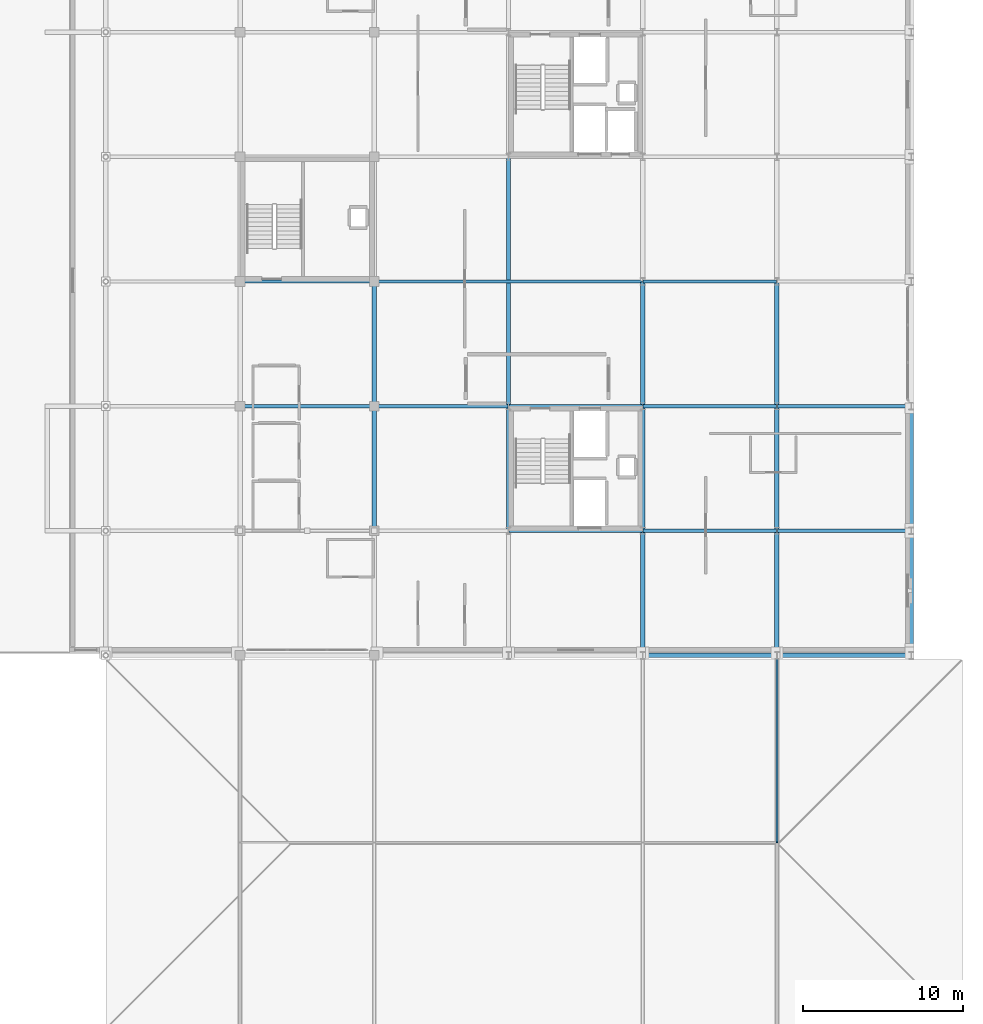
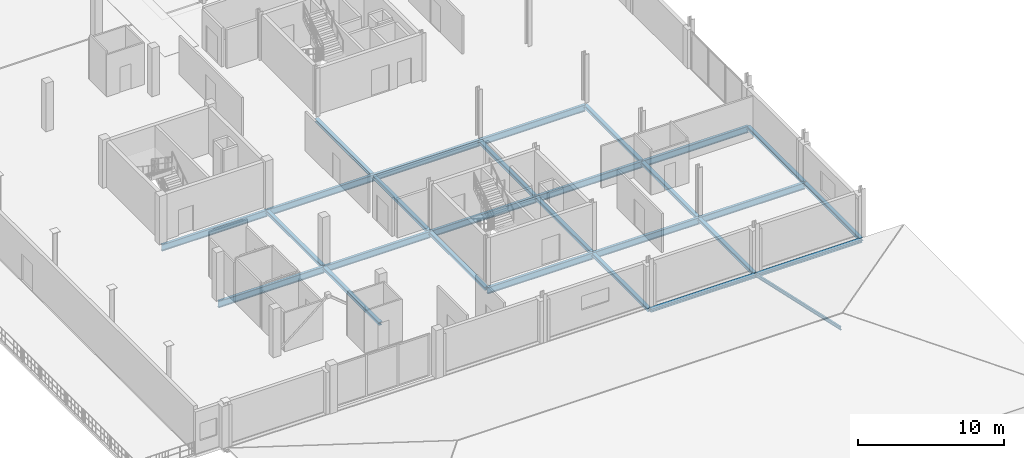
# One storey, part 10 of 25: 25 beams, 1 member.
"""IFC4 building model written with IfcOpenShell, lengths in metres."""

import ifcopenshell
import ifcopenshell.guid

model = None  # the IFC model being written
_history = None  # IfcOwnerHistory: only IFC2X3 demands one
_inside = {}  # id of a spatial element -> (the spatial element, [elements in it])
_under = {}  # id of a project, library or spatial element -> (it, [spatial elements below it])
_declared = {}  # id of a project -> (the project, [libraries it declares])
_typed = {}  # id of a type object -> (the type object, [elements of that type])
_made_of = {}  # id of a material, layer set ... -> (it, [elements and type objects made of it])


def new_model(schema):
    """Start an empty IFC model of exactly this schema.

    Asked for "IFC4X3", IfcOpenShell would pick the latest addendum, in which some entities
    have other attributes; the version numbers below select the first issue.
    IFC2X3 requires an IfcOwnerHistory on every rooted entity: one is made here for all.
    """
    global model, _history
    if schema == "IFC4X3":
        model = ifcopenshell.file(schema_version=(4, 3, 0, 0))
    else:
        model = ifcopenshell.file(schema=schema)
    _inside.clear()
    _under.clear()
    _declared.clear()
    _typed.clear()
    _made_of.clear()
    _history = None
    if model.schema == "IFC2X3":
        org = make("IfcOrganization", Name="unknown")
        user = make(
            "IfcPersonAndOrganization",
            ThePerson=make("IfcPerson", FamilyName="unknown"),
            TheOrganization=org,
        )
        app = make(
            "IfcApplication",
            ApplicationDeveloper=org,
            Version="unknown",
            ApplicationFullName="unknown",
            ApplicationIdentifier="unknown",
        )
        _history = make(
            "IfcOwnerHistory",
            OwningUser=user,
            OwningApplication=app,
            ChangeAction="ADDED",
            CreationDate=0,
        )
    return model


def make(cls, **values):
    """One entity of the class cls with the attributes given. An attribute that is None is left unset."""
    return model.create_entity(
        cls, **{name: value for name, value in values.items() if value is not None}
    )


def rooted(cls, **values):
    """An entity with a GlobalId (a new one), such as an element, a storey or a relation."""
    return make(cls, GlobalId=ifcopenshell.guid.new(), OwnerHistory=_history, **values)


def si_unit(unit_type, name, prefix=None):
    """IfcSIUnit, for example si_unit("LENGTHUNIT", "METRE", prefix="MILLI")."""
    return make("IfcSIUnit", UnitType=unit_type, Prefix=prefix, Name=name)


def assignment(units):
    """IfcUnitAssignment: the units of a project."""
    return None if units is None else make("IfcUnitAssignment", Units=units)


def point(xyz):
    """IfcCartesianPoint."""
    return None if xyz is None else make("IfcCartesianPoint", Coordinates=xyz)


def direction(xyz):
    """IfcDirection."""
    return None if xyz is None else make("IfcDirection", DirectionRatios=xyz)


def frame(location, z_axis=None, x_axis=None):
    """IfcAxis2Placement3D, a coordinate frame: its origin and axes. An axis left out is left unset."""
    return make(
        "IfcAxis2Placement3D",
        Location=point(location),
        Axis=direction(z_axis),
        RefDirection=direction(x_axis),
    )


def frame_2d(location, x_axis=None):
    """IfcAxis2Placement2D, a coordinate frame in the plane: its origin and x axis."""
    return make(
        "IfcAxis2Placement2D", Location=point(location), RefDirection=direction(x_axis)
    )


def origin():
    """The frame at (0, 0, 0) with its axes left unset."""
    return frame((0.0, 0.0, 0.0))


def origin_2d():
    """The frame at (0, 0) in the plane with its x axis left unset."""
    return frame_2d((0.0, 0.0))


def place(relative_to, where):
    """IfcLocalPlacement: puts the frame where relative to a parent placement (None: the world)."""
    return make(
        "IfcLocalPlacement", PlacementRelTo=relative_to, RelativePlacement=where
    )


def context(
    kind, dimensions, precision=None, world=None, true_north=None, identifier=None
):
    """IfcGeometricRepresentationContext, for example the 3D "Model" context."""
    return make(
        "IfcGeometricRepresentationContext",
        ContextIdentifier=identifier,
        ContextType=kind,
        CoordinateSpaceDimension=dimensions,
        Precision=precision,
        WorldCoordinateSystem=world,
        TrueNorth=true_north,
    )


def subcontext(parent, identifier, kind, view, scale=None):
    """IfcGeometricRepresentationSubContext, for example "Body" below "Model"."""
    return make(
        "IfcGeometricRepresentationSubContext",
        ContextIdentifier=identifier,
        ContextType=kind,
        ParentContext=parent,
        TargetScale=scale,
        TargetView=view,
    )


def project(units=None, contexts=None):
    """IfcProject with its units and contexts."""
    return rooted(
        "IfcProject",
        Name="project",
        RepresentationContexts=contexts,
        UnitsInContext=assignment(units),
    )


def spatial(cls, under=None, at=None, **own):
    """A site, building, storey or space (cls), placed at a placement, below another one or the project."""
    s = rooted(cls, ObjectPlacement=at, **own)
    if under is not None:
        _under.setdefault(under.id(), (under, []))[1].append(s)
    return s


def profile(cls, at=None, kind="AREA", **sizes):
    """A parametric profile (cls). Its sizes go by their IFC names, for example OverallWidth=200.0."""
    return make(cls, ProfileType=kind, Position=at, **sizes)


def i_section(**sizes):
    """IfcIShapeProfileDef."""
    return profile("IfcIShapeProfileDef", **sizes)


def extrude(swept, where, along, depth):
    """IfcExtrudedAreaSolid: the profile swept, set in the frame where, extruded along a direction by depth."""
    return make(
        "IfcExtrudedAreaSolid",
        SweptArea=swept,
        Position=where,
        ExtrudedDirection=direction(along),
        Depth=depth,
    )


def shape(context_of_items, identifier, shape_type, items):
    """IfcShapeRepresentation: the items that make up one representation, for example the "Body"."""
    return make(
        "IfcShapeRepresentation",
        ContextOfItems=context_of_items,
        RepresentationIdentifier=identifier,
        RepresentationType=shape_type,
        Items=items,
    )


def material(Name=None, Category=None):
    """IfcMaterial."""
    return make("IfcMaterial", Name=Name, Category=Category)


def material_profile(
    of_material, cross_section, Name=None, Category=None, Priority=None
):
    """IfcMaterialProfile: a cross section and its material."""
    return make(
        "IfcMaterialProfile",
        Name=Name,
        Material=of_material,
        Profile=cross_section,
        Priority=Priority,
        Category=Category,
    )


def profile_set(profiles, Name=None, composite=None):
    """IfcMaterialProfileSet."""
    return make(
        "IfcMaterialProfileSet",
        Name=Name,
        MaterialProfiles=profiles,
        CompositeProfile=composite,
    )


def made_of(thing, what):
    """Note that an element or type object is made of a material, layer set ...; save() writes the relation."""
    if what is not None:
        _made_of.setdefault(what.id(), (what, []))[1].append(thing)
    return thing


def type_object(cls, material=None, **own):
    """A type object (cls), such as IfcWallType, which elements share."""
    return made_of(rooted(cls, **own), material)


def element(
    cls,
    number,
    at=None,
    inside=None,
    cuts=None,
    type_object=None,
    material=None,
    context=None,
    identifier="Body",
    shape_type=None,
    held_by="IfcProductDefinitionShape",
    body=None,
    shapes=None,
    **own,
):
    """One element of the class cls, such as IfcWall. Its Tag is "e" and its number.

    at: its placement. inside: the storey or other place that contains it. cuts: it is an
    opening in that element (IfcRelVoidsElement). A single representation is given by context,
    identifier, shape_type and body (its items); several are given by shapes. held_by: the class
    of the entity that holds the representations. save() writes the other relations.
    """
    e = rooted(cls, Tag="e%d" % number, ObjectPlacement=at, **own)
    if body is not None:
        shapes = [shape(context, identifier, shape_type, body)]
    if shapes is not None:
        e.Representation = make(held_by, Representations=shapes)
    if inside is not None:
        _inside.setdefault(inside.id(), (inside, []))[1].append(e)
    if cuts is not None:
        rooted(
            "IfcRelVoidsElement", RelatingBuildingElement=cuts, RelatedOpeningElement=e
        )
    if type_object is not None:
        _typed.setdefault(type_object.id(), (type_object, []))[1].append(e)
    return made_of(e, material)


def aggregate(whole, parts):
    """IfcRelAggregates: a whole, such as a stair, and the parts it consists of."""
    return rooted("IfcRelAggregates", RelatingObject=whole, RelatedObjects=parts)


def save(model, path):
    """Write the relations noted so far, then the file.

    IfcRelAggregates (storeys below a building ...), IfcRelContainedInSpatialStructure (elements
    in a storey), IfcRelDefinesByType, IfcRelAssociatesMaterial and IfcRelDeclares: one each for
    every whole, place, type object, material and project.
    """
    for whole, parts in _under.values():
        aggregate(whole, parts)
    for where, things in _inside.values():
        rooted(
            "IfcRelContainedInSpatialStructure",
            RelatedElements=things,
            RelatingStructure=where,
        )
    for kind, things in _typed.values():
        rooted("IfcRelDefinesByType", RelatedObjects=things, RelatingType=kind)
    for what, things in _made_of.values():
        rooted("IfcRelAssociatesMaterial", RelatedObjects=things, RelatingMaterial=what)
    for by, libraries in _declared.values():
        rooted("IfcRelDeclares", RelatingContext=by, RelatedDefinitions=libraries)
    model.write(path)


model = new_model("IFC4")

# Units and contexts
model_context = context("Model", 3, precision=1e-05, world=origin(), true_north=direction((0.0, 1.0)))
body_context = subcontext(model_context, "Body", "Model", "MODEL_VIEW")
ifc_project = project(units=[si_unit("LENGTHUNIT", "METRE"), si_unit("AREAUNIT", "SQUARE_METRE"), si_unit("VOLUMEUNIT", "CUBIC_METRE"), si_unit("PLANEANGLEUNIT", "RADIAN"), si_unit("MASSUNIT", "GRAM", prefix="KILO")], contexts=[model_context])

# Site, building, storey
site_placement = place(None, origin())
site = spatial("IfcSite", under=ifc_project, at=site_placement, CompositionType="ELEMENT")
building_placement = place(site_placement, origin())
building = spatial("IfcBuilding", under=site, at=building_placement, Name="Nabrawat Pavilion Hospital", CompositionType="ELEMENT")
storey_placement = place(building_placement, frame((0.0, 0.0, 22.949951171875)))
storey = spatial("IfcBuildingStorey", under=building, at=storey_placement, Name="L05", CompositionType="ELEMENT", Elevation=22.949951171875)

# Beams
ifc_material = material(Name="Steel S355", Category="steel")
ifc_material_profile_1 = material_profile(ifc_material, i_section(OverallWidth=0.2099609375, OverallDepth=0.550048828125, WebThickness=0.010986328125, FlangeThickness=0.01708984375, FilletRadius=0.02392578125, at=origin_2d()), Name="IPE 550")
ifc_profile_set_1 = profile_set([ifc_material_profile_1], Name="Steel S355")
beam_type_1 = type_object("IfcBeamType", Name="Long-Span Floor Girder IPE 550", PredefinedType="USERDEFINED", material=ifc_profile_set_1)
beam_1_placement = place(storey_placement, frame((168.02001953125, 46.800048828125, -0.5048828125), z_axis=(1.0, 0.0, 0.0), x_axis=(0.0, 1.0, 0.0)))
element("IfcBeam", 1, at=beam_1_placement, inside=storey, type_object=beam_type_1, Name="L05 Primary X Girder 1994", ObjectType="GIRDER", PredefinedType="USERDEFINED", context=body_context, shape_type="SweptSolid", body=[
    extrude(i_section(OverallWidth=0.2099609375, OverallDepth=0.550048828125, WebThickness=0.010986328125, FlangeThickness=0.01708984375, FilletRadius=0.02392578125, at=origin_2d()), origin(), (0.0, 0.0, 1.0), 8.35986328125),
])
beam_2_placement = place(storey_placement, frame((176.419921875, 46.800048828125, -0.5048828125), z_axis=(1.0, 0.0, 0.0), x_axis=(0.0, 1.0, 0.0)))
element("IfcBeam", 2, at=beam_2_placement, inside=storey, type_object=beam_type_1, Name="L05 Primary X Girder 1995", ObjectType="GIRDER", PredefinedType="USERDEFINED", context=body_context, shape_type="SweptSolid", body=[
    extrude(i_section(OverallWidth=0.2099609375, OverallDepth=0.550048828125, WebThickness=0.010986328125, FlangeThickness=0.01708984375, FilletRadius=0.02392578125, at=origin_2d()), origin(), (0.0, 0.0, 1.0), 8.360107421875),
])
beam_3_placement = place(storey_placement, frame((184.820068359375, 46.800048828125, -0.5048828125), z_axis=(1.0, 0.0, 0.0), x_axis=(0.0, 1.0, 0.0)))
element("IfcBeam", 3, at=beam_3_placement, inside=storey, type_object=beam_type_1, Name="L05 Primary X Girder 1996", ObjectType="GIRDER", PredefinedType="USERDEFINED", context=body_context, shape_type="SweptSolid", body=[
    extrude(i_section(OverallWidth=0.2099609375, OverallDepth=0.550048828125, WebThickness=0.010986328125, FlangeThickness=0.01708984375, FilletRadius=0.02392578125, at=origin_2d()), origin(), (0.0, 0.0, 1.0), 8.35986328125),
])
beam_4_placement = place(storey_placement, frame((151.219970703125, 54.60009765625, -0.5048828125), z_axis=(1.0, 0.0, 0.0), x_axis=(0.0, 1.0, 0.0)))
element("IfcBeam", 4, at=beam_4_placement, inside=storey, type_object=beam_type_1, Name="L05 Primary X Girder 1998", ObjectType="GIRDER", PredefinedType="USERDEFINED", context=body_context, shape_type="SweptSolid", body=[
    extrude(i_section(OverallWidth=0.2099609375, OverallDepth=0.550048828125, WebThickness=0.010986328125, FlangeThickness=0.01708984375, FilletRadius=0.02392578125, at=origin_2d()), origin(), (0.0, 0.0, 1.0), 8.360107421875),
])
for number, where, z_axis, x_axis, name in (
    (5, (159.6201171875, 54.60009765625, -0.5048828125), (1.0, 0.0, 0.0), (0.0, 1.0, 0.0), "L05 Primary X Girder 1999"),
    (6, (168.02001953125, 54.60009765625, -0.5048828125), (1.0, 0.0, 0.0), (0.0, 1.0, 0.0), "L05 Primary X Girder 2000"),
):
    element("IfcBeam", number, at=place(storey_placement, frame(where, z_axis=z_axis, x_axis=x_axis)), inside=storey, type_object=beam_type_1, Name=name, ObjectType="GIRDER", PredefinedType="USERDEFINED", context=body_context, shape_type="SweptSolid", body=[
        extrude(i_section(OverallWidth=0.2099609375, OverallDepth=0.550048828125, WebThickness=0.010986328125, FlangeThickness=0.01708984375, FilletRadius=0.02392578125, at=origin_2d()), origin(), (0.0, 0.0, 1.0), 8.35986328125),
    ])
beam_5_placement = place(storey_placement, frame((176.419921875, 54.60009765625, -0.5048828125), z_axis=(1.0, 0.0, 0.0), x_axis=(0.0, 1.0, 0.0)))
element("IfcBeam", 7, at=beam_5_placement, inside=storey, type_object=beam_type_1, Name="L05 Primary X Girder 2001", ObjectType="GIRDER", PredefinedType="USERDEFINED", context=body_context, shape_type="SweptSolid", body=[
    extrude(i_section(OverallWidth=0.2099609375, OverallDepth=0.550048828125, WebThickness=0.010986328125, FlangeThickness=0.01708984375, FilletRadius=0.02392578125, at=origin_2d()), origin(), (0.0, 0.0, 1.0), 8.360107421875),
])
beam_6_placement = place(storey_placement, frame((184.820068359375, 54.60009765625, -0.5048828125), z_axis=(1.0, 0.0, 0.0), x_axis=(0.0, 1.0, 0.0)))
element("IfcBeam", 8, at=beam_6_placement, inside=storey, type_object=beam_type_1, Name="L05 Primary X Girder 2002", ObjectType="GIRDER", PredefinedType="USERDEFINED", context=body_context, shape_type="SweptSolid", body=[
    extrude(i_section(OverallWidth=0.2099609375, OverallDepth=0.550048828125, WebThickness=0.010986328125, FlangeThickness=0.01708984375, FilletRadius=0.02392578125, at=origin_2d()), origin(), (0.0, 0.0, 1.0), 8.35986328125),
])
beam_7_placement = place(storey_placement, frame((151.219970703125, 62.39990234375, -0.5048828125), z_axis=(1.0, 0.0, 0.0), x_axis=(0.0, 1.0, 0.0)))
element("IfcBeam", 9, at=beam_7_placement, inside=storey, type_object=beam_type_1, Name="L05 Primary X Girder 2004", ObjectType="GIRDER", PredefinedType="USERDEFINED", context=body_context, shape_type="SweptSolid", body=[
    extrude(i_section(OverallWidth=0.2099609375, OverallDepth=0.550048828125, WebThickness=0.010986328125, FlangeThickness=0.01708984375, FilletRadius=0.02392578125, at=origin_2d()), origin(), (0.0, 0.0, 1.0), 8.360107421875),
])
beam_8_placement = place(storey_placement, frame((159.6201171875, 62.39990234375, -0.5048828125), z_axis=(1.0, 0.0, 0.0), x_axis=(0.0, 1.0, 0.0)))
element("IfcBeam", 10, at=beam_8_placement, inside=storey, type_object=beam_type_1, Name="L05 Primary X Girder 2005", ObjectType="GIRDER", PredefinedType="USERDEFINED", context=body_context, shape_type="SweptSolid", body=[
    extrude(i_section(OverallWidth=0.2099609375, OverallDepth=0.550048828125, WebThickness=0.010986328125, FlangeThickness=0.01708984375, FilletRadius=0.02392578125, at=origin_2d()), origin(), (0.0, 0.0, 1.0), 16.759765625),
])
beam_9_placement = place(storey_placement, frame((176.419921875, 62.39990234375, -0.5048828125), z_axis=(1.0, 0.0, 0.0), x_axis=(0.0, 1.0, 0.0)))
element("IfcBeam", 11, at=beam_9_placement, inside=storey, type_object=beam_type_1, Name="L05 Primary X Girder 2006", ObjectType="GIRDER", PredefinedType="USERDEFINED", context=body_context, shape_type="SweptSolid", body=[
    extrude(i_section(OverallWidth=0.2099609375, OverallDepth=0.550048828125, WebThickness=0.010986328125, FlangeThickness=0.01708984375, FilletRadius=0.02392578125, at=origin_2d()), origin(), (0.0, 0.0, 1.0), 8.360107421875),
])

# Member
ifc_material_profile_2 = material_profile(ifc_material, i_section(OverallWidth=0.135009765625, OverallDepth=0.27001953125, WebThickness=0.006591796875, FlangeThickness=0.01025390625, FilletRadius=0.014892578125, at=origin_2d()), Name="IPE 270")
ifc_profile_set_2 = profile_set([ifc_material_profile_2], Name="Steel S355")
member_type = type_object("IfcMemberType", Name="Outpatient Hipped Roof Rafter IPE 270", PredefinedType="RAFTER", material=ifc_profile_set_2)
member_placement = place(storey_placement, frame((184.800048828125, 39.0, -0.349853515625), z_axis=(0.0, -0.976133352556, 0.217172001021), x_axis=(1.0, 0.0, 0.0)))
element("IfcMember", 12, at=member_placement, inside=storey, type_object=member_type, Name="Outpatient North Pavilion North Hipped Rafter 04", PredefinedType="RAFTER", context=body_context, shape_type="SweptSolid", body=[
    extrude(i_section(OverallWidth=0.135009765625, OverallDepth=0.27001953125, WebThickness=0.006591796875, FlangeThickness=0.01025390625, FilletRadius=0.014892578125, at=origin_2d()), origin(), (0.0, 0.0, 1.0), 11.986083984375),
])

# Beams
ifc_material_profile_3 = material_profile(ifc_material, i_section(OverallWidth=0.280029296875, OverallDepth=0.27001953125, WebThickness=0.008056640625, FlangeThickness=0.012939453125, FilletRadius=0.02392578125, at=origin_2d()), Name="HEA 280")
ifc_profile_set_3 = profile_set([ifc_material_profile_3], Name="Steel S355")
beam_type_2 = type_object("IfcBeamType", Name="Top Ward Floor Beam HEA 280", PredefinedType="BEAM", material=ifc_profile_set_3)
beam_10_placement = place(storey_placement, frame((159.60009765625, 46.820068359375, -0.364990234375), z_axis=(0.0, 1.0, 0.0), x_axis=(-1.0, 0.0, 0.0)))
element("IfcBeam", 13, at=beam_10_placement, inside=storey, type_object=beam_type_2, Name="L05 Primary Y Beam 2073", PredefinedType="BEAM", context=body_context, shape_type="SweptSolid", body=[
    extrude(i_section(OverallWidth=0.280029296875, OverallDepth=0.27001953125, WebThickness=0.008056640625, FlangeThickness=0.012939453125, FilletRadius=0.02392578125, at=origin_2d()), origin(), (0.0, 0.0, 1.0), 7.760009765625),
])
beam_11_placement = place(storey_placement, frame((159.60009765625, 54.6201171875, -0.364990234375), z_axis=(0.0, 1.0, 0.0), x_axis=(-1.0, 0.0, 0.0)))
element("IfcBeam", 14, at=beam_11_placement, inside=storey, type_object=beam_type_2, Name="L05 Primary Y Beam 2074", PredefinedType="BEAM", context=body_context, shape_type="SweptSolid", body=[
    extrude(i_section(OverallWidth=0.280029296875, OverallDepth=0.27001953125, WebThickness=0.008056640625, FlangeThickness=0.012939453125, FilletRadius=0.02392578125, at=origin_2d()), origin(), (0.0, 0.0, 1.0), 7.759765625),
])
beam_12_placement = place(storey_placement, frame((168.0, 46.820068359375, -0.364990234375), z_axis=(0.0, 1.0, 0.0), x_axis=(-1.0, 0.0, 0.0)))
element("IfcBeam", 15, at=beam_12_placement, inside=storey, type_object=beam_type_2, Name="L05 Primary Y Beam 2084", PredefinedType="BEAM", context=body_context, shape_type="SweptSolid", body=[
    extrude(i_section(OverallWidth=0.280029296875, OverallDepth=0.27001953125, WebThickness=0.008056640625, FlangeThickness=0.012939453125, FilletRadius=0.02392578125, at=origin_2d()), origin(), (0.0, 0.0, 1.0), 7.760009765625),
])
beam_13_placement = place(storey_placement, frame((168.0, 54.6201171875, -0.364990234375), z_axis=(0.0, 1.0, 0.0), x_axis=(-1.0, 0.0, 0.0)))
element("IfcBeam", 16, at=beam_13_placement, inside=storey, type_object=beam_type_2, Name="L05 Primary Y Beam 2085", PredefinedType="BEAM", context=body_context, shape_type="SweptSolid", body=[
    extrude(i_section(OverallWidth=0.280029296875, OverallDepth=0.27001953125, WebThickness=0.008056640625, FlangeThickness=0.012939453125, FilletRadius=0.02392578125, at=origin_2d()), origin(), (0.0, 0.0, 1.0), 15.559814453125),
])
for number, where, z_axis, x_axis, name in (
    (17, (176.39990234375, 39.02001953125, -0.364990234375), (0.0, 1.0, 0.0), (-1.0, 0.0, 0.0), "L05 Primary Y Beam 2089"),
    (18, (176.39990234375, 46.820068359375, -0.364990234375), (0.0, 1.0, 0.0), (-1.0, 0.0, 0.0), "L05 Primary Y Beam 2090"),
):
    element("IfcBeam", number, at=place(storey_placement, frame(where, z_axis=z_axis, x_axis=x_axis)), inside=storey, type_object=beam_type_2, Name=name, PredefinedType="BEAM", context=body_context, shape_type="SweptSolid", body=[
        extrude(i_section(OverallWidth=0.280029296875, OverallDepth=0.27001953125, WebThickness=0.008056640625, FlangeThickness=0.012939453125, FilletRadius=0.02392578125, at=origin_2d()), origin(), (0.0, 0.0, 1.0), 7.760009765625),
    ])
beam_14_placement = place(storey_placement, frame((176.39990234375, 54.6201171875, -0.364990234375), z_axis=(0.0, 1.0, 0.0), x_axis=(-1.0, 0.0, 0.0)))
element("IfcBeam", 19, at=beam_14_placement, inside=storey, type_object=beam_type_2, Name="L05 Primary Y Beam 2091", PredefinedType="BEAM", context=body_context, shape_type="SweptSolid", body=[
    extrude(i_section(OverallWidth=0.280029296875, OverallDepth=0.27001953125, WebThickness=0.008056640625, FlangeThickness=0.012939453125, FilletRadius=0.02392578125, at=origin_2d()), origin(), (0.0, 0.0, 1.0), 7.759765625),
])
for number, where, z_axis, x_axis, name in (
    (20, (184.800048828125, 39.02001953125, -0.364990234375), (0.0, 1.0, 0.0), (-1.0, 0.0, 0.0), "L05 Primary Y Beam 2100"),
    (21, (184.800048828125, 46.820068359375, -0.364990234375), (0.0, 1.0, 0.0), (-1.0, 0.0, 0.0), "L05 Primary Y Beam 2101"),
):
    element("IfcBeam", number, at=place(storey_placement, frame(where, z_axis=z_axis, x_axis=x_axis)), inside=storey, type_object=beam_type_2, Name=name, PredefinedType="BEAM", context=body_context, shape_type="SweptSolid", body=[
        extrude(i_section(OverallWidth=0.280029296875, OverallDepth=0.27001953125, WebThickness=0.008056640625, FlangeThickness=0.012939453125, FilletRadius=0.02392578125, at=origin_2d()), origin(), (0.0, 0.0, 1.0), 7.760009765625),
    ])
beam_15_placement = place(storey_placement, frame((184.800048828125, 54.6201171875, -0.364990234375), z_axis=(0.0, 1.0, 0.0), x_axis=(-1.0, 0.0, 0.0)))
element("IfcBeam", 22, at=beam_15_placement, inside=storey, type_object=beam_type_2, Name="L05 Primary Y Beam 2102", PredefinedType="BEAM", context=body_context, shape_type="SweptSolid", body=[
    extrude(i_section(OverallWidth=0.280029296875, OverallDepth=0.27001953125, WebThickness=0.008056640625, FlangeThickness=0.012939453125, FilletRadius=0.02392578125, at=origin_2d()), origin(), (0.0, 0.0, 1.0), 7.759765625),
])
ifc_material_profile_4 = material_profile(ifc_material, i_section(OverallWidth=0.280029296875, OverallDepth=0.280029296875, WebThickness=0.010498046875, FlangeThickness=0.01806640625, FilletRadius=0.02392578125, at=origin_2d()), Name="HEB 280")
ifc_profile_set_4 = profile_set([ifc_material_profile_4], Name="Steel S355")
beam_type_3 = type_object("IfcBeamType", Name="Upper Terrace Edge Spandrel HEB 280", PredefinedType="SPANDREL", material=ifc_profile_set_4)
beam_16_placement = place(storey_placement, frame((176.419921875, 39.0, -0.369873046875), z_axis=(1.0, 0.0, 0.0), x_axis=(0.0, 1.0, 0.0)))
element("IfcBeam", 23, at=beam_16_placement, inside=storey, type_object=beam_type_3, Name="L05 Primary X Girder 1989", PredefinedType="SPANDREL", context=body_context, shape_type="SweptSolid", body=[
    extrude(i_section(OverallWidth=0.280029296875, OverallDepth=0.280029296875, WebThickness=0.010498046875, FlangeThickness=0.01806640625, FilletRadius=0.02392578125, at=origin_2d()), origin(), (0.0, 0.0, 1.0), 8.360107421875),
])
beam_17_placement = place(storey_placement, frame((184.820068359375, 39.0, -0.369873046875), z_axis=(1.0, 0.0, 0.0), x_axis=(0.0, 1.0, 0.0)))
element("IfcBeam", 24, at=beam_17_placement, inside=storey, type_object=beam_type_3, Name="L05 Primary X Girder 1990", PredefinedType="SPANDREL", context=body_context, shape_type="SweptSolid", body=[
    extrude(i_section(OverallWidth=0.280029296875, OverallDepth=0.280029296875, WebThickness=0.010498046875, FlangeThickness=0.01806640625, FilletRadius=0.02392578125, at=origin_2d()), origin(), (0.0, 0.0, 1.0), 8.35986328125),
])
for number, where, z_axis, x_axis, name in (
    (25, (193.199951171875, 39.02001953125, -0.369873046875), (0.0, 1.0, 0.0), (-1.0, 0.0, 0.0), "L05 Primary Y Beam 2107"),
    (26, (193.199951171875, 46.820068359375, -0.369873046875), (0.0, 1.0, 0.0), (-1.0, 0.0, 0.0), "L05 Primary Y Beam 2108"),
):
    element("IfcBeam", number, at=place(storey_placement, frame(where, z_axis=z_axis, x_axis=x_axis)), inside=storey, type_object=beam_type_3, Name=name, PredefinedType="SPANDREL", context=body_context, shape_type="SweptSolid", body=[
        extrude(i_section(OverallWidth=0.280029296875, OverallDepth=0.280029296875, WebThickness=0.010498046875, FlangeThickness=0.01806640625, FilletRadius=0.02392578125, at=origin_2d()), origin(), (0.0, 0.0, 1.0), 7.760009765625),
    ])

save(model, "model.ifc")
